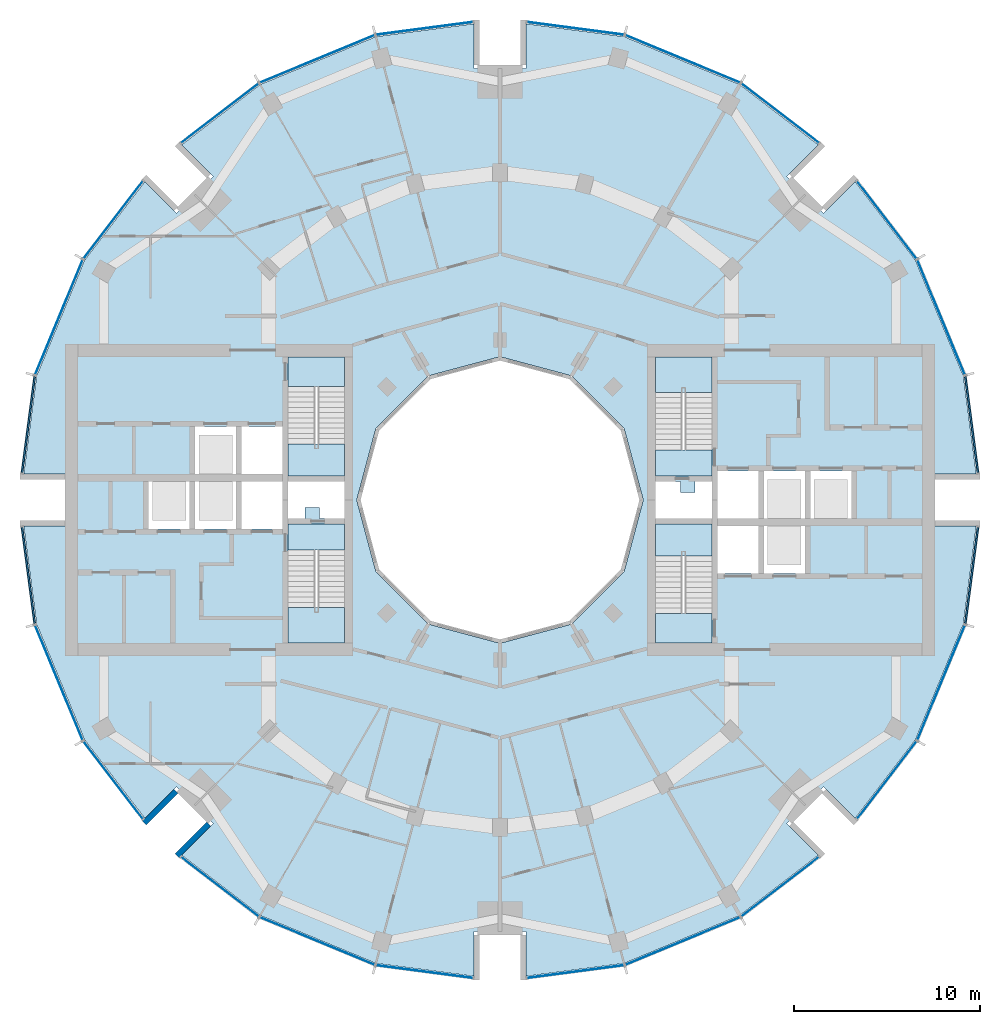
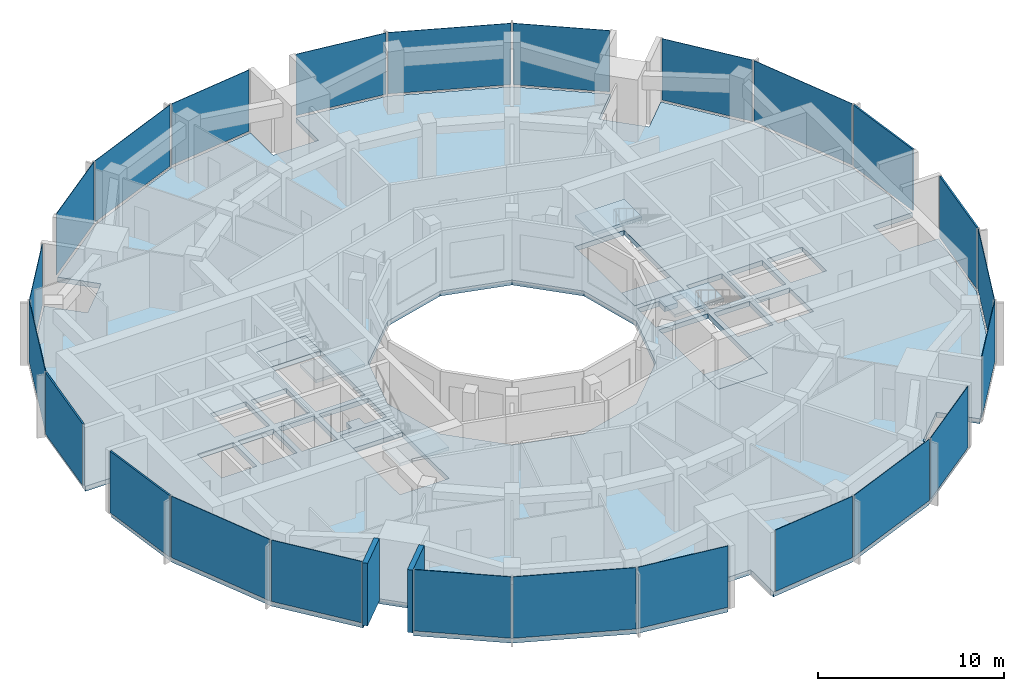
# One storey, part 7 of 15: 24 plates, 9 slabs, 2 walls, 28 elements without a shape of their own.
"""IFC4 building model written with IfcOpenShell, lengths in metres."""

from ifc_helpers import new_model, si_unit, direction, frame, frame_2d, origin, origin_2d, place, context, subcontext, project, spatial, polyline, rectangle, outline, extrude, material, layer, layer_set, type_object, element, aggregate, save


model = new_model("IFC4")

# Units and contexts
model_context = context("Model", 3, precision=1e-05, world=origin(), true_north=direction((0.0, 1.0)))
body_context = subcontext(model_context, "Body", "Model", "MODEL_VIEW")
ifc_project = project(units=[si_unit("LENGTHUNIT", "METRE"), si_unit("AREAUNIT", "SQUARE_METRE"), si_unit("VOLUMEUNIT", "CUBIC_METRE"), si_unit("PLANEANGLEUNIT", "RADIAN"), si_unit("MASSUNIT", "GRAM", prefix="KILO")], contexts=[model_context])

# Site, building, storey
site_placement = place(None, origin())
site = spatial("IfcSite", under=ifc_project, at=site_placement, CompositionType="ELEMENT")
building_placement = place(site_placement, origin())
building = spatial("IfcBuilding", under=site, at=building_placement, Name="Torre Brocal", CompositionType="ELEMENT")
storey_placement = place(building_placement, frame((0.0, 0.0, 157.699951171875)))
storey = spatial("IfcBuildingStorey", under=building, at=storey_placement, Name="L36", CompositionType="ELEMENT", Elevation=157.699951171875)

# Curtain wall, plate
ifc_material_1 = material(Name="Aluminium and glass", Category="aluminium")
ifc_layer_1 = layer(ifc_material_1, 0.199951171875)
ifc_layer_set_1 = layer_set([ifc_layer_1], Name="Aluminium and glass")
curtain_wall_type_1 = type_object("IfcCurtainWallType", Name="CW-1 CURTAIN WALL 4100 HIGH", PredefinedType="NOTDEFINED", material=ifc_layer_set_1)
curtain_wall_1_placement = place(storey_placement, origin())
curtain_wall_1 = element("IfcCurtainWall", 1, at=curtain_wall_1_placement, inside=storey, type_object=curtain_wall_type_1, Name="CW-1 RUN 2", PredefinedType="NOTDEFINED")
ifc_material_2 = material(Name="Glass, dark tinted laminated", Category="glass")
ifc_layer_2 = layer(ifc_material_2, 0.031982421875)
ifc_layer_set_2 = layer_set([ifc_layer_2], Name="Glass, dark tinted laminated")
plate_type_1 = type_object("IfcPlateType", Name="CW-1 GLASS PANEL 32", PredefinedType="CURTAIN_PANEL", material=ifc_layer_set_2)
plate_1_placement = place(storey_placement, frame((103.722900390625, 84.826416015625, 0.080078125), z_axis=(0.0, 0.0, 1.0), x_axis=(-0.382683432333, 0.923879532525, 0.0)))
plate_1 = element("IfcPlate", 2, at=plate_1_placement, type_object=plate_type_1, Name="CW1-4 panel 1.1", PredefinedType="CURTAIN_PANEL", context=body_context, shape_type="SweptSolid", body=[
    extrude(rectangle(XDim=6.64111328125, YDim=0.031982421875, at=origin_2d()), origin(), (0.0, 0.0, 1.0), 4.02001953125),
])
aggregate(curtain_wall_1, [plate_1])

curtain_wall_2_placement = place(storey_placement, origin())
curtain_wall_2 = element("IfcCurtainWall", 3, at=curtain_wall_2_placement, inside=storey, type_object=curtain_wall_type_1, Name="CW-1 RUN 3", PredefinedType="NOTDEFINED")
plate_2_placement = place(storey_placement, frame((100.80126953125, 90.0712890625, 0.080078125), z_axis=(0.0, 0.0, 1.0), x_axis=(-0.60876142905, 0.793353340259, 0.0)))
plate_2 = element("IfcPlate", 4, at=plate_2_placement, type_object=plate_type_1, Name="CW1-4 panel 1.1", PredefinedType="CURTAIN_PANEL", context=body_context, shape_type="SweptSolid", body=[
    extrude(rectangle(XDim=5.22900390625, YDim=0.031982421875, at=origin_2d()), origin(), (0.0, 0.0, 1.0), 4.02001953125),
])
aggregate(curtain_wall_2, [plate_2])

curtain_wall_3_placement = place(storey_placement, origin())
curtain_wall_3 = element("IfcCurtainWall", 5, at=curtain_wall_3_placement, inside=storey, type_object=curtain_wall_type_1, Name="CW-1 RUN 4", PredefinedType="NOTDEFINED")
plate_3_placement = place(storey_placement, frame((95.0712890625, 95.80126953125, 0.080078125), z_axis=(0.0, 0.0, 1.0), x_axis=(-0.793353340259, 0.60876142905, 0.0)))
plate_3 = element("IfcPlate", 6, at=plate_3_placement, type_object=plate_type_1, Name="CW1-4 panel 1.1", PredefinedType="CURTAIN_PANEL", context=body_context, shape_type="SweptSolid", body=[
    extrude(rectangle(XDim=5.22900390625, YDim=0.031982421875, at=origin_2d()), origin(), (0.0, 0.0, 1.0), 4.02001953125),
])
aggregate(curtain_wall_3, [plate_3])

curtain_wall_4_placement = place(storey_placement, origin())
curtain_wall_4 = element("IfcCurtainWall", 7, at=curtain_wall_4_placement, inside=storey, type_object=curtain_wall_type_1, Name="CW-1 RUN 5", PredefinedType="NOTDEFINED")
plate_4_placement = place(storey_placement, frame((89.826416015625, 98.722900390625, 0.080078125), z_axis=(0.0, 0.0, 1.0), x_axis=(-0.923879532525, 0.382683432333, 0.0)))
plate_4 = element("IfcPlate", 8, at=plate_4_placement, type_object=plate_type_1, Name="CW1-4 panel 1.1", PredefinedType="CURTAIN_PANEL", context=body_context, shape_type="SweptSolid", body=[
    extrude(rectangle(XDim=6.64111328125, YDim=0.031982421875, at=origin_2d()), origin(), (0.0, 0.0, 1.0), 4.02001953125),
])
aggregate(curtain_wall_4, [plate_4])

curtain_wall_5_placement = place(storey_placement, origin())
curtain_wall_5 = element("IfcCurtainWall", 9, at=curtain_wall_5_placement, inside=storey, type_object=curtain_wall_type_1, Name="CW-1 RUN 6", PredefinedType="NOTDEFINED")
plate_5_placement = place(storey_placement, frame((84.051513671875, 100.36572265625, 0.080078125), z_axis=(0.0, 0.0, 1.0), x_axis=(-0.991444861374, 0.13052619222, 0.0)))
plate_5 = element("IfcPlate", 10, at=plate_5_placement, type_object=plate_type_1, Name="CW1-4 panel 1.1", PredefinedType="CURTAIN_PANEL", context=body_context, shape_type="SweptSolid", body=[
    extrude(rectangle(XDim=5.22900390625, YDim=0.031982421875, at=origin_2d()), origin(), (0.0, 0.0, 1.0), 4.02001953125),
])
aggregate(curtain_wall_5, [plate_5])

curtain_wall_6_placement = place(storey_placement, origin())
curtain_wall_6 = element("IfcCurtainWall", 11, at=curtain_wall_6_placement, inside=storey, type_object=curtain_wall_type_1, Name="CW-1 RUN 7", PredefinedType="NOTDEFINED")
plate_6_placement = place(storey_placement, frame((75.948486328125, 100.36572265625, 0.080078125), z_axis=(0.0, 0.0, 1.0), x_axis=(-0.991444861374, -0.13052619222, 0.0)))
plate_6 = element("IfcPlate", 12, at=plate_6_placement, type_object=plate_type_1, Name="CW1-4 panel 1.1", PredefinedType="CURTAIN_PANEL", context=body_context, shape_type="SweptSolid", body=[
    extrude(rectangle(XDim=5.22900390625, YDim=0.031982421875, at=origin_2d()), origin(), (0.0, 0.0, 1.0), 4.02001953125),
])
aggregate(curtain_wall_6, [plate_6])

curtain_wall_7_placement = place(storey_placement, origin())
curtain_wall_7 = element("IfcCurtainWall", 13, at=curtain_wall_7_placement, inside=storey, type_object=curtain_wall_type_1, Name="CW-1 RUN 8", PredefinedType="NOTDEFINED")
plate_7_placement = place(storey_placement, frame((70.173583984375, 98.722900390625, 0.080078125), z_axis=(0.0, 0.0, 1.0), x_axis=(-0.923879532525, -0.382683432333, 0.0)))
plate_7 = element("IfcPlate", 14, at=plate_7_placement, type_object=plate_type_1, Name="CW1-4 panel 1.1", PredefinedType="CURTAIN_PANEL", context=body_context, shape_type="SweptSolid", body=[
    extrude(rectangle(XDim=6.64111328125, YDim=0.031982421875, at=origin_2d()), origin(), (0.0, 0.0, 1.0), 4.02001953125),
])
aggregate(curtain_wall_7, [plate_7])

curtain_wall_8_placement = place(storey_placement, origin())
curtain_wall_8 = element("IfcCurtainWall", 15, at=curtain_wall_8_placement, inside=storey, type_object=curtain_wall_type_1, Name="CW-1 RUN 9", PredefinedType="NOTDEFINED")
plate_8_placement = place(storey_placement, frame((64.9287109375, 95.80126953125, 0.080078125), z_axis=(0.0, 0.0, 1.0), x_axis=(-0.793353340259, -0.60876142905, 0.0)))
plate_8 = element("IfcPlate", 16, at=plate_8_placement, type_object=plate_type_1, Name="CW1-4 panel 1.1", PredefinedType="CURTAIN_PANEL", context=body_context, shape_type="SweptSolid", body=[
    extrude(rectangle(XDim=5.22900390625, YDim=0.031982421875, at=origin_2d()), origin(), (0.0, 0.0, 1.0), 4.02001953125),
])
aggregate(curtain_wall_8, [plate_8])

curtain_wall_9_placement = place(storey_placement, origin())
curtain_wall_9 = element("IfcCurtainWall", 17, at=curtain_wall_9_placement, inside=storey, type_object=curtain_wall_type_1, Name="CW-1 RUN 10", PredefinedType="NOTDEFINED")
plate_9_placement = place(storey_placement, frame((59.19873046875, 90.0712890625, 0.080078125), z_axis=(0.0, 0.0, 1.0), x_axis=(-0.60876142905, -0.793353340259, 0.0)))
plate_9 = element("IfcPlate", 18, at=plate_9_placement, type_object=plate_type_1, Name="CW1-4 panel 1.1", PredefinedType="CURTAIN_PANEL", context=body_context, shape_type="SweptSolid", body=[
    extrude(rectangle(XDim=5.22900390625, YDim=0.031982421875, at=origin_2d()), origin(), (0.0, 0.0, 1.0), 4.02001953125),
])
aggregate(curtain_wall_9, [plate_9])

curtain_wall_10_placement = place(storey_placement, origin())
curtain_wall_10 = element("IfcCurtainWall", 19, at=curtain_wall_10_placement, inside=storey, type_object=curtain_wall_type_1, Name="CW-1 RUN 11", PredefinedType="NOTDEFINED")
plate_10_placement = place(storey_placement, frame((56.277099609375, 84.826416015625, 0.080078125), z_axis=(0.0, 0.0, 1.0), x_axis=(-0.382683432333, -0.923879532525, 0.0)))
plate_10 = element("IfcPlate", 20, at=plate_10_placement, type_object=plate_type_1, Name="CW1-4 panel 1.1", PredefinedType="CURTAIN_PANEL", context=body_context, shape_type="SweptSolid", body=[
    extrude(rectangle(XDim=6.64111328125, YDim=0.031982421875, at=origin_2d()), origin(), (0.0, 0.0, 1.0), 4.02001953125),
])
aggregate(curtain_wall_10, [plate_10])

curtain_wall_11_placement = place(storey_placement, origin())
curtain_wall_11 = element("IfcCurtainWall", 21, at=curtain_wall_11_placement, inside=storey, type_object=curtain_wall_type_1, Name="CW-1 RUN 14", PredefinedType="NOTDEFINED")
plate_11_placement = place(storey_placement, frame((56.277099609375, 65.173583984375, 0.080078125), z_axis=(0.0, 0.0, 1.0), x_axis=(0.382683432333, -0.923879532525, 0.0)))
plate_11 = element("IfcPlate", 22, at=plate_11_placement, type_object=plate_type_1, Name="CW1-4 panel 1.1", PredefinedType="CURTAIN_PANEL", context=body_context, shape_type="SweptSolid", body=[
    extrude(rectangle(XDim=6.64111328125, YDim=0.031982421875, at=origin_2d()), origin(), (0.0, 0.0, 1.0), 4.02001953125),
])
aggregate(curtain_wall_11, [plate_11])

curtain_wall_12_placement = place(storey_placement, origin())
curtain_wall_12 = element("IfcCurtainWall", 23, at=curtain_wall_12_placement, inside=storey, type_object=curtain_wall_type_1, Name="CW-1 RUN 15", PredefinedType="NOTDEFINED")
plate_12_placement = place(storey_placement, frame((59.19873046875, 59.9287109375, 0.080078125), z_axis=(0.0, 0.0, 1.0), x_axis=(0.60876142905, -0.793353340259, 0.0)))
plate_12 = element("IfcPlate", 24, at=plate_12_placement, type_object=plate_type_1, Name="CW1-4 panel 1.1", PredefinedType="CURTAIN_PANEL", context=body_context, shape_type="SweptSolid", body=[
    extrude(rectangle(XDim=5.22900390625, YDim=0.031982421875, at=origin_2d()), origin(), (0.0, 0.0, 1.0), 4.02001953125),
])
aggregate(curtain_wall_12, [plate_12])

curtain_wall_13_placement = place(storey_placement, origin())
curtain_wall_13 = element("IfcCurtainWall", 25, at=curtain_wall_13_placement, inside=storey, type_object=curtain_wall_type_1, Name="CW-1 RUN 16", PredefinedType="NOTDEFINED")
plate_13_placement = place(storey_placement, frame((64.9287109375, 54.19873046875, 0.080078125), z_axis=(0.0, 0.0, 1.0), x_axis=(0.793353340259, -0.60876142905, 0.0)))
plate_13 = element("IfcPlate", 26, at=plate_13_placement, type_object=plate_type_1, Name="CW1-4 panel 1.1", PredefinedType="CURTAIN_PANEL", context=body_context, shape_type="SweptSolid", body=[
    extrude(rectangle(XDim=5.22900390625, YDim=0.031982421875, at=origin_2d()), origin(), (0.0, 0.0, 1.0), 4.02001953125),
])
aggregate(curtain_wall_13, [plate_13])

curtain_wall_14_placement = place(storey_placement, origin())
curtain_wall_14 = element("IfcCurtainWall", 27, at=curtain_wall_14_placement, inside=storey, type_object=curtain_wall_type_1, Name="CW-1 RUN 17", PredefinedType="NOTDEFINED")
plate_14_placement = place(storey_placement, frame((70.173583984375, 51.277099609375, 0.080078125), z_axis=(0.0, 0.0, 1.0), x_axis=(0.923879532525, -0.382683432333, 0.0)))
plate_14 = element("IfcPlate", 28, at=plate_14_placement, type_object=plate_type_1, Name="CW1-4 panel 1.1", PredefinedType="CURTAIN_PANEL", context=body_context, shape_type="SweptSolid", body=[
    extrude(rectangle(XDim=6.64111328125, YDim=0.031982421875, at=origin_2d()), origin(), (0.0, 0.0, 1.0), 4.02001953125),
])
aggregate(curtain_wall_14, [plate_14])

curtain_wall_15_placement = place(storey_placement, origin())
curtain_wall_15 = element("IfcCurtainWall", 29, at=curtain_wall_15_placement, inside=storey, type_object=curtain_wall_type_1, Name="CW-1 RUN 18", PredefinedType="NOTDEFINED")
plate_15_placement = place(storey_placement, frame((75.948486328125, 49.63427734375, 0.080078125), z_axis=(0.0, 0.0, 1.0), x_axis=(0.991444861374, -0.13052619222, 0.0)))
plate_15 = element("IfcPlate", 30, at=plate_15_placement, type_object=plate_type_1, Name="CW1-4 panel 1.1", PredefinedType="CURTAIN_PANEL", context=body_context, shape_type="SweptSolid", body=[
    extrude(rectangle(XDim=5.22900390625, YDim=0.031982421875, at=origin_2d()), origin(), (0.0, 0.0, 1.0), 4.02001953125),
])
aggregate(curtain_wall_15, [plate_15])

curtain_wall_16_placement = place(storey_placement, origin())
curtain_wall_16 = element("IfcCurtainWall", 31, at=curtain_wall_16_placement, inside=storey, type_object=curtain_wall_type_1, Name="CW-1 RUN 19", PredefinedType="NOTDEFINED")
plate_16_placement = place(storey_placement, frame((84.051513671875, 49.63427734375, 0.080078125), z_axis=(0.0, 0.0, 1.0), x_axis=(0.991444861374, 0.13052619222, 0.0)))
plate_16 = element("IfcPlate", 32, at=plate_16_placement, type_object=plate_type_1, Name="CW1-4 panel 1.1", PredefinedType="CURTAIN_PANEL", context=body_context, shape_type="SweptSolid", body=[
    extrude(rectangle(XDim=5.22900390625, YDim=0.031982421875, at=origin_2d()), origin(), (0.0, 0.0, 1.0), 4.02001953125),
])
aggregate(curtain_wall_16, [plate_16])

curtain_wall_17_placement = place(storey_placement, origin())
curtain_wall_17 = element("IfcCurtainWall", 33, at=curtain_wall_17_placement, inside=storey, type_object=curtain_wall_type_1, Name="CW-1 RUN 20", PredefinedType="NOTDEFINED")
plate_17_placement = place(storey_placement, frame((89.826416015625, 51.277099609375, 0.080078125), z_axis=(0.0, 0.0, 1.0), x_axis=(0.923879532525, 0.382683432333, 0.0)))
plate_17 = element("IfcPlate", 34, at=plate_17_placement, type_object=plate_type_1, Name="CW1-4 panel 1.1", PredefinedType="CURTAIN_PANEL", context=body_context, shape_type="SweptSolid", body=[
    extrude(rectangle(XDim=6.64111328125, YDim=0.031982421875, at=origin_2d()), origin(), (0.0, 0.0, 1.0), 4.02001953125),
])
aggregate(curtain_wall_17, [plate_17])

curtain_wall_18_placement = place(storey_placement, origin())
curtain_wall_18 = element("IfcCurtainWall", 35, at=curtain_wall_18_placement, inside=storey, type_object=curtain_wall_type_1, Name="CW-1 RUN 21", PredefinedType="NOTDEFINED")
plate_18_placement = place(storey_placement, frame((95.0712890625, 54.19873046875, 0.080078125), z_axis=(0.0, 0.0, 1.0), x_axis=(0.793353340259, 0.60876142905, 0.0)))
plate_18 = element("IfcPlate", 36, at=plate_18_placement, type_object=plate_type_1, Name="CW1-4 panel 1.1", PredefinedType="CURTAIN_PANEL", context=body_context, shape_type="SweptSolid", body=[
    extrude(rectangle(XDim=5.22900390625, YDim=0.031982421875, at=origin_2d()), origin(), (0.0, 0.0, 1.0), 4.02001953125),
])
aggregate(curtain_wall_18, [plate_18])

curtain_wall_19_placement = place(storey_placement, origin())
curtain_wall_19 = element("IfcCurtainWall", 37, at=curtain_wall_19_placement, inside=storey, type_object=curtain_wall_type_1, Name="CW-1 RUN 22", PredefinedType="NOTDEFINED")
plate_19_placement = place(storey_placement, frame((100.80126953125, 59.9287109375, 0.080078125), z_axis=(0.0, 0.0, 1.0), x_axis=(0.60876142905, 0.793353340259, 0.0)))
plate_19 = element("IfcPlate", 38, at=plate_19_placement, type_object=plate_type_1, Name="CW1-4 panel 1.1", PredefinedType="CURTAIN_PANEL", context=body_context, shape_type="SweptSolid", body=[
    extrude(rectangle(XDim=5.22900390625, YDim=0.031982421875, at=origin_2d()), origin(), (0.0, 0.0, 1.0), 4.02001953125),
])
aggregate(curtain_wall_19, [plate_19])

curtain_wall_20_placement = place(storey_placement, origin())
curtain_wall_20 = element("IfcCurtainWall", 39, at=curtain_wall_20_placement, inside=storey, type_object=curtain_wall_type_1, Name="CW-1 RUN 23", PredefinedType="NOTDEFINED")
plate_20_placement = place(storey_placement, frame((103.722900390625, 65.173583984375, 0.080078125), z_axis=(0.0, 0.0, 1.0), x_axis=(0.382683432333, 0.923879532525, 0.0)))
plate_20 = element("IfcPlate", 40, at=plate_20_placement, type_object=plate_type_1, Name="CW1-4 panel 1.1", PredefinedType="CURTAIN_PANEL", context=body_context, shape_type="SweptSolid", body=[
    extrude(rectangle(XDim=6.64111328125, YDim=0.031982421875, at=origin_2d()), origin(), (0.0, 0.0, 1.0), 4.02001953125),
])
aggregate(curtain_wall_20, [plate_20])

ifc_material_3 = material(Name="Aluminium and glass", Category="aluminium")
ifc_layer_3 = layer(ifc_material_3, 0.199951171875)
ifc_layer_set_3 = layer_set([ifc_layer_3], Name="Aluminium and glass")
curtain_wall_type_2 = type_object("IfcCurtainWallType", Name="CW-1B CURTAIN WALL 4100 HIGH", PredefinedType="NOTDEFINED", material=ifc_layer_set_3)
curtain_wall_21_placement = place(storey_placement, origin())
curtain_wall_21 = element("IfcCurtainWall", 41, at=curtain_wall_21_placement, inside=storey, type_object=curtain_wall_type_2, Name="CW-1B RUN 1", PredefinedType="NOTDEFINED")
ifc_material_4 = material(Name="Aluminium composite panel", Category="aluminium")
ifc_layer_4 = layer(ifc_material_4, 0.10009765625)
ifc_layer_set_4 = layer_set([ifc_layer_4], Name="Aluminium composite panel")
plate_type_2 = type_object("IfcPlateType", Name="CW-1B OPAQUE PANEL 100", PredefinedType="CURTAIN_PANEL", material=ifc_layer_set_4)
plate_21_placement = place(storey_placement, frame((105.36572265625, 79.051513671875, 0.080078125), z_axis=(0.0, 0.0, 1.0), x_axis=(-0.13052619222, 0.991444861374, 0.0)))
plate_21 = element("IfcPlate", 42, at=plate_21_placement, type_object=plate_type_2, Name="CW1B-4 panel 1.1", PredefinedType="CURTAIN_PANEL", context=body_context, shape_type="SweptSolid", body=[
    extrude(rectangle(XDim=5.22900390625, YDim=0.10009765625, at=origin_2d()), origin(), (0.0, 0.0, 1.0), 4.02001953125),
])
aggregate(curtain_wall_21, [plate_21])

curtain_wall_22_placement = place(storey_placement, origin())
curtain_wall_22 = element("IfcCurtainWall", 43, at=curtain_wall_22_placement, inside=storey, type_object=curtain_wall_type_2, Name="CW-1B RUN 12", PredefinedType="NOTDEFINED")
plate_22_placement = place(storey_placement, frame((54.63427734375, 79.051513671875, 0.080078125), z_axis=(0.0, 0.0, 1.0), x_axis=(-0.13052619222, -0.991444861374, 0.0)))
plate_22 = element("IfcPlate", 44, at=plate_22_placement, type_object=plate_type_2, Name="CW1B-4 panel 1.1", PredefinedType="CURTAIN_PANEL", context=body_context, shape_type="SweptSolid", body=[
    extrude(rectangle(XDim=5.22900390625, YDim=0.10009765625, at=origin_2d()), origin(), (0.0, 0.0, 1.0), 4.02001953125),
])
aggregate(curtain_wall_22, [plate_22])

curtain_wall_23_placement = place(storey_placement, origin())
curtain_wall_23 = element("IfcCurtainWall", 45, at=curtain_wall_23_placement, inside=storey, type_object=curtain_wall_type_2, Name="CW-1B RUN 13", PredefinedType="NOTDEFINED")
plate_23_placement = place(storey_placement, frame((54.63427734375, 70.948486328125, 0.080078125), z_axis=(0.0, 0.0, 1.0), x_axis=(0.13052619222, -0.991444861374, 0.0)))
plate_23 = element("IfcPlate", 46, at=plate_23_placement, type_object=plate_type_2, Name="CW1B-4 panel 1.1", PredefinedType="CURTAIN_PANEL", context=body_context, shape_type="SweptSolid", body=[
    extrude(rectangle(XDim=5.22900390625, YDim=0.10009765625, at=origin_2d()), origin(), (0.0, 0.0, 1.0), 4.02001953125),
])
aggregate(curtain_wall_23, [plate_23])

curtain_wall_24_placement = place(storey_placement, origin())
curtain_wall_24 = element("IfcCurtainWall", 47, at=curtain_wall_24_placement, inside=storey, type_object=curtain_wall_type_2, Name="CW-1B RUN 24", PredefinedType="NOTDEFINED")
plate_24_placement = place(storey_placement, frame((105.36572265625, 70.948486328125, 0.080078125), z_axis=(0.0, 0.0, 1.0), x_axis=(0.13052619222, 0.991444861374, 0.0)))
plate_24 = element("IfcPlate", 48, at=plate_24_placement, type_object=plate_type_2, Name="CW1B-4 panel 1.1", PredefinedType="CURTAIN_PANEL", context=body_context, shape_type="SweptSolid", body=[
    extrude(rectangle(XDim=5.22900390625, YDim=0.10009765625, at=origin_2d()), origin(), (0.0, 0.0, 1.0), 4.02001953125),
])
aggregate(curtain_wall_24, [plate_24])

# Stair, slab
ifc_material_5 = material(Name="Concrete C50", Category="concrete")
stair_type = type_object("IfcStairType", Name="EXIT STAIR", PredefinedType="HALF_TURN_STAIR", material=ifc_material_5)
stair_1_placement = place(storey_placement, origin())
stair_1 = element("IfcStair", 49, at=stair_1_placement, inside=storey, type_object=stair_type, Name="EXIT STAIR ST1", PredefinedType="HALF_TURN_STAIR")
ifc_material_6 = material(Name="Concrete C50", Category="concrete")
ifc_layer_5 = layer(ifc_material_6, 0.320068359375)
ifc_layer_set_5 = layer_set([ifc_layer_5], Name="Concrete C50")
slab_type_1 = type_object("IfcSlabType", Name="FLOOR LANDING 320", PredefinedType="LANDING", material=ifc_layer_set_5)
slab_1_placement = place(storey_placement, frame((0.0, 0.0, -0.320068359375)))
slab_1 = element("IfcSlab", 50, at=slab_1_placement, type_object=slab_type_1, Name="ST1 landing 1", PredefinedType="LANDING", context=body_context, shape_type="SweptSolid", body=[
    extrude(outline(polyline([(88.35009765625, 76.300048828125), (91.39990234375, 76.300048828125), (91.39990234375, 77.699951171875), (88.35009765625, 77.699951171875), (88.35009765625, 76.300048828125)])), origin(), (0.0, 0.0, 1.0), 0.320068359375),
])

stair_2_placement = place(storey_placement, origin())
stair_2 = element("IfcStair", 51, at=stair_2_placement, inside=storey, type_object=stair_type, Name="EXIT STAIR ST2", PredefinedType="HALF_TURN_STAIR")
slab_2_placement = place(storey_placement, frame((0.0, 0.0, -0.320068359375)))
slab_2 = element("IfcSlab", 52, at=slab_2_placement, type_object=slab_type_1, Name="ST2 landing 1", PredefinedType="LANDING", context=body_context, shape_type="SweptSolid", body=[
    extrude(outline(polyline([(88.35009765625, 67.300048828125), (91.39990234375, 67.300048828125), (91.39990234375, 68.89990234375), (88.35009765625, 68.89990234375), (88.35009765625, 67.300048828125)])), origin(), (0.0, 0.0, 1.0), 0.320068359375),
])

stair_3_placement = place(storey_placement, origin())
stair_3 = element("IfcStair", 53, at=stair_3_placement, inside=storey, type_object=stair_type, Name="EXIT STAIR ST3", PredefinedType="HALF_TURN_STAIR")
slab_3_placement = place(storey_placement, frame((0.0, 0.0, -0.320068359375)))
slab_3 = element("IfcSlab", 54, at=slab_3_placement, type_object=slab_type_1, Name="ST3 landing 1", PredefinedType="LANDING", context=body_context, shape_type="SweptSolid", body=[
    extrude(outline(polyline([(71.64990234375, 73.699951171875), (68.60009765625, 73.699951171875), (68.60009765625, 72.300048828125), (71.64990234375, 72.300048828125), (71.64990234375, 73.699951171875)])), origin(), (0.0, 0.0, 1.0), 0.320068359375),
])

stair_4_placement = place(storey_placement, origin())
stair_4 = element("IfcStair", 55, at=stair_4_placement, inside=storey, type_object=stair_type, Name="EXIT STAIR ST4", PredefinedType="HALF_TURN_STAIR")
slab_4_placement = place(storey_placement, frame((0.0, 0.0, -0.320068359375)))
slab_4 = element("IfcSlab", 56, at=slab_4_placement, type_object=slab_type_1, Name="ST4 landing 1", PredefinedType="LANDING", context=body_context, shape_type="SweptSolid", body=[
    extrude(outline(polyline([(71.64990234375, 82.699951171875), (68.60009765625, 82.699951171875), (68.60009765625, 81.10009765625), (71.64990234375, 81.10009765625), (71.64990234375, 82.699951171875)])), origin(), (0.0, 0.0, 1.0), 0.320068359375),
])

# Slab
ifc_material_7 = material(Name="Concrete C50", Category="concrete")
ifc_layer_6 = layer(ifc_material_7, 0.199951171875)
ifc_layer_set_6 = layer_set([ifc_layer_6], Name="Concrete C50")
slab_type_2 = type_object("IfcSlabType", Name="MID LANDING +2050", PredefinedType="LANDING", material=ifc_layer_set_6)
slab_5_placement = place(storey_placement, frame((0.0, 0.0, 1.85009765625)))
slab_5 = element("IfcSlab", 57, at=slab_5_placement, type_object=slab_type_2, Name="ST1 landing 2", PredefinedType="LANDING", context=body_context, shape_type="SweptSolid", body=[
    extrude(outline(polyline([(88.35009765625, 80.780029296875), (91.39990234375, 80.780029296875), (91.39990234375, 82.699951171875), (88.35009765625, 82.699951171875), (88.35009765625, 80.780029296875)])), origin(), (0.0, 0.0, 1.0), 0.199951171875),
])

aggregate(stair_1, [slab_1, slab_5])

slab_6_placement = place(storey_placement, frame((0.0, 0.0, 1.85009765625)))
slab_6 = element("IfcSlab", 58, at=slab_6_placement, type_object=slab_type_2, Name="ST2 landing 2", PredefinedType="LANDING", context=body_context, shape_type="SweptSolid", body=[
    extrude(outline(polyline([(88.35009765625, 71.97998046875), (91.39990234375, 71.97998046875), (91.39990234375, 73.699951171875), (88.35009765625, 73.699951171875), (88.35009765625, 71.97998046875)])), origin(), (0.0, 0.0, 1.0), 0.199951171875),
])

aggregate(stair_2, [slab_2, slab_6])

slab_7_placement = place(storey_placement, frame((0.0, 0.0, 1.85009765625)))
slab_7 = element("IfcSlab", 59, at=slab_7_placement, type_object=slab_type_2, Name="ST3 landing 2", PredefinedType="LANDING", context=body_context, shape_type="SweptSolid", body=[
    extrude(outline(polyline([(71.64990234375, 69.219970703125), (68.60009765625, 69.219970703125), (68.60009765625, 67.300048828125), (71.64990234375, 67.300048828125), (71.64990234375, 69.219970703125)])), origin(), (0.0, 0.0, 1.0), 0.199951171875),
])

aggregate(stair_3, [slab_3, slab_7])

slab_8_placement = place(storey_placement, frame((0.0, 0.0, 1.85009765625)))
slab_8 = element("IfcSlab", 60, at=slab_8_placement, type_object=slab_type_2, Name="ST4 landing 2", PredefinedType="LANDING", context=body_context, shape_type="SweptSolid", body=[
    extrude(outline(polyline([(71.64990234375, 78.02001953125), (68.60009765625, 78.02001953125), (68.60009765625, 76.300048828125), (71.64990234375, 76.300048828125), (71.64990234375, 78.02001953125)])), origin(), (0.0, 0.0, 1.0), 0.199951171875),
])

aggregate(stair_4, [slab_4, slab_8])

ifc_material_8 = material(Name="Concrete C45", Category="concrete")
ifc_layer_7 = layer(ifc_material_8, 0.320068359375)
ifc_layer_set_7 = layer_set([ifc_layer_7], Name="Concrete C45")
slab_type_3 = type_object("IfcSlabType", Name="PT FLOOR SLAB 320 C45", PredefinedType="FLOOR", material=ifc_layer_set_7)
slab_9_placement = place(storey_placement, frame((0.0, 0.0, -0.320068359375)))
element("IfcSlab", 61, at=slab_9_placement, inside=storey, type_object=slab_type_3, Name="Slab ST-05", PredefinedType="FLOOR", context=body_context, shape_type="SweptSolid", body=[
    extrude(outline(polyline([(103.199951171875, 76.39990234375), (103.199951171875, 73.60009765625), (105.614013671875, 73.60009765625), (104.919189453125, 68.322998046875), (102.342041015625, 62.100830078125), (99.101806640625, 57.878173828125), (97.394775390625, 59.5849609375), (95.4150390625, 57.605224609375), (97.121826171875, 55.898193359375), (92.899169921875, 52.657958984375), (86.677001953125, 50.080810546875), (81.39990234375, 49.385986328125), (81.39990234375, 51.800048828125), (78.60009765625, 51.800048828125), (78.60009765625, 49.385986328125), (73.322998046875, 50.080810546875), (67.100830078125, 52.657958984375), (62.878173828125, 55.898193359375), (64.5849609375, 57.605224609375), (62.605224609375, 59.5849609375), (60.898193359375, 57.878173828125), (57.657958984375, 62.100830078125), (55.080810546875, 68.322998046875), (54.385986328125, 73.60009765625), (56.800048828125, 73.60009765625), (56.800048828125, 76.39990234375), (54.385986328125, 76.39990234375), (55.080810546875, 81.677001953125), (57.657958984375, 87.899169921875), (60.898193359375, 92.121826171875), (62.605224609375, 90.4150390625), (64.5849609375, 92.394775390625), (62.878173828125, 94.101806640625), (67.100830078125, 97.342041015625), (73.322998046875, 99.919189453125), (78.60009765625, 100.614013671875), (78.60009765625, 98.199951171875), (81.39990234375, 98.199951171875), (81.39990234375, 100.614013671875), (86.677001953125, 99.919189453125), (92.899169921875, 97.342041015625), (97.121826171875, 94.101806640625), (95.4150390625, 92.394775390625), (97.394775390625, 90.4150390625), (99.101806640625, 92.121826171875), (102.342041015625, 87.899169921875), (104.919189453125, 81.677001953125), (105.614013671875, 76.39990234375), (103.199951171875, 76.39990234375)]), holes=[polyline([(98.89990234375, 76.550048828125), (96.699951171875, 76.550048828125), (96.699951171875, 74.0), (98.89990234375, 74.0), (98.89990234375, 76.550048828125)]), polyline([(96.39990234375, 76.550048828125), (94.199951171875, 76.550048828125), (94.199951171875, 74.0), (96.39990234375, 74.0), (96.39990234375, 76.550048828125)]), polyline([(96.39990234375, 73.60009765625), (94.199951171875, 73.60009765625), (94.199951171875, 71.050048828125), (96.39990234375, 71.050048828125), (96.39990234375, 73.60009765625)]), polyline([(93.89990234375, 76.550048828125), (91.699951171875, 76.550048828125), (91.699951171875, 74.0), (93.89990234375, 74.0), (93.89990234375, 76.550048828125)]), polyline([(93.89990234375, 73.60009765625), (91.699951171875, 73.60009765625), (91.699951171875, 71.050048828125), (93.89990234375, 71.050048828125), (93.89990234375, 73.60009765625)]), polyline([(89.699951171875, 76.0), (88.35009765625, 76.0), (88.35009765625, 74.0), (91.39990234375, 74.0), (91.39990234375, 76.0), (90.5, 76.0), (90.5, 75.39990234375), (89.699951171875, 75.39990234375), (89.699951171875, 76.0)]), polyline([(91.39990234375, 82.699951171875), (88.35009765625, 82.699951171875), (88.35009765625, 76.300048828125), (91.39990234375, 76.300048828125), (91.39990234375, 82.699951171875)]), polyline([(91.39990234375, 73.699951171875), (88.35009765625, 73.699951171875), (88.35009765625, 67.300048828125), (91.39990234375, 67.300048828125), (91.39990234375, 73.699951171875)]), polyline([(80.0, 82.70703125), (76.146484375, 81.674560546875), (73.325439453125, 78.853515625), (72.29296875, 75.0), (73.325439453125, 71.146484375), (76.146484375, 68.325439453125), (80.0, 67.29296875), (83.853515625, 68.325439453125), (86.674560546875, 71.146484375), (87.70703125, 75.0), (86.674560546875, 78.853515625), (83.853515625, 81.674560546875), (80.0, 82.70703125)]), polyline([(70.300048828125, 74.0), (71.64990234375, 74.0), (71.64990234375, 76.0), (68.60009765625, 76.0), (68.60009765625, 74.0), (69.5, 74.0), (69.5, 74.60009765625), (70.300048828125, 74.60009765625), (70.300048828125, 74.0)]), polyline([(68.60009765625, 76.300048828125), (71.64990234375, 76.300048828125), (71.64990234375, 82.699951171875), (68.60009765625, 82.699951171875), (68.60009765625, 76.300048828125)]), polyline([(68.60009765625, 67.300048828125), (71.64990234375, 67.300048828125), (71.64990234375, 73.699951171875), (68.60009765625, 73.699951171875), (68.60009765625, 67.300048828125)]), polyline([(66.10009765625, 76.39990234375), (68.300048828125, 76.39990234375), (68.300048828125, 78.949951171875), (66.10009765625, 78.949951171875), (66.10009765625, 76.39990234375)]), polyline([(66.10009765625, 73.449951171875), (68.300048828125, 73.449951171875), (68.300048828125, 76.0), (66.10009765625, 76.0), (66.10009765625, 73.449951171875)]), polyline([(63.60009765625, 76.39990234375), (65.800048828125, 76.39990234375), (65.800048828125, 78.949951171875), (63.60009765625, 78.949951171875), (63.60009765625, 76.39990234375)]), polyline([(63.60009765625, 73.449951171875), (65.800048828125, 73.449951171875), (65.800048828125, 76.0), (63.60009765625, 76.0), (63.60009765625, 73.449951171875)]), polyline([(61.10009765625, 73.449951171875), (63.300048828125, 73.449951171875), (63.300048828125, 76.0), (61.10009765625, 76.0), (61.10009765625, 73.449951171875)])]), origin(), (0.0, 0.0, 1.0), 0.320068359375),
])

# Walls
ifc_material_9 = material(Name="Concrete C70", Category="concrete")
ifc_layer_8 = layer(ifc_material_9, 0.300048828125)
ifc_layer_set_8 = layer_set([ifc_layer_8], Name="Concrete C70")
wall_type = type_object("IfcWallType", Name="NOTCH RETURN WALL 300 C70", PredefinedType="NOTDEFINED", material=ifc_layer_set_8)
for number, where, z_axis, x_axis, name in (
    (62, (62.56982421875, 59.337646484375, 0.0), (0.0, 0.0, 1.0), (-0.707106781187, -0.707106781187, 0.0), "NOTCH RETURN WALL"),
    (63, (64.337646484375, 57.56982421875, 0.0), (0.0, 0.0, 1.0), (-0.707106781187, -0.707106781187, 0.0), "NOTCH RETURN WALL"),
):
    element("IfcWall", number, at=place(storey_placement, frame(where, z_axis=z_axis, x_axis=x_axis)), inside=storey, type_object=wall_type, Name=name, PredefinedType="NOTDEFINED", context=body_context, shape_type="SweptSolid", body=[
        extrude(rectangle(XDim=2.415771484375, YDim=0.300048828125, at=frame_2d((1.2080078125, 0.0))), origin(), (0.0, 0.0, 1.0), 4.10009765625),
    ])

save(model, "model.ifc")
